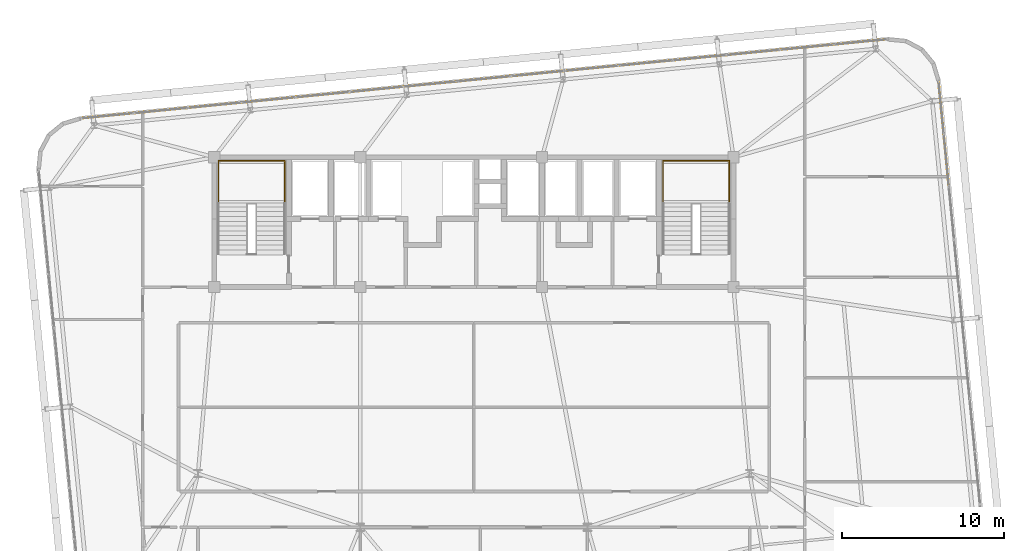
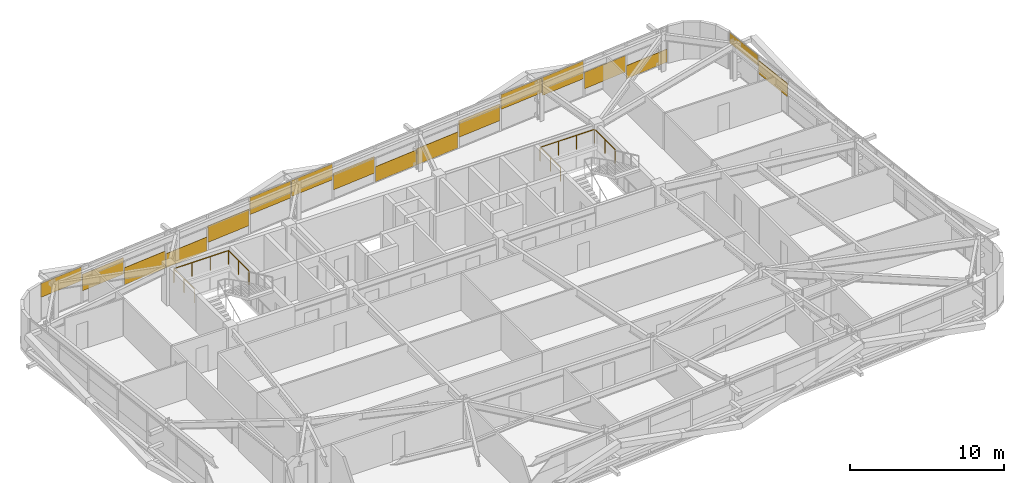
# One storey, part 52 of 52: 17 coverings, 2 railings.
"""IFC4 building model written with IfcOpenShell, lengths in metres."""

import ifcopenshell
import ifcopenshell.guid

model = None  # the IFC model being written
_history = None  # IfcOwnerHistory: only IFC2X3 demands one
_inside = {}  # id of a spatial element -> (the spatial element, [elements in it])
_under = {}  # id of a project, library or spatial element -> (it, [spatial elements below it])
_declared = {}  # id of a project -> (the project, [libraries it declares])
_typed = {}  # id of a type object -> (the type object, [elements of that type])
_made_of = {}  # id of a material, layer set ... -> (it, [elements and type objects made of it])


def new_model(schema):
    """Start an empty IFC model of exactly this schema.

    Asked for "IFC4X3", IfcOpenShell would pick the latest addendum, in which some entities
    have other attributes; the version numbers below select the first issue.
    IFC2X3 requires an IfcOwnerHistory on every rooted entity: one is made here for all.
    """
    global model, _history
    if schema == "IFC4X3":
        model = ifcopenshell.file(schema_version=(4, 3, 0, 0))
    else:
        model = ifcopenshell.file(schema=schema)
    _inside.clear()
    _under.clear()
    _declared.clear()
    _typed.clear()
    _made_of.clear()
    _history = None
    if model.schema == "IFC2X3":
        org = make("IfcOrganization", Name="unknown")
        user = make(
            "IfcPersonAndOrganization",
            ThePerson=make("IfcPerson", FamilyName="unknown"),
            TheOrganization=org,
        )
        app = make(
            "IfcApplication",
            ApplicationDeveloper=org,
            Version="unknown",
            ApplicationFullName="unknown",
            ApplicationIdentifier="unknown",
        )
        _history = make(
            "IfcOwnerHistory",
            OwningUser=user,
            OwningApplication=app,
            ChangeAction="ADDED",
            CreationDate=0,
        )
    return model


def make(cls, **values):
    """One entity of the class cls with the attributes given. An attribute that is None is left unset."""
    return model.create_entity(
        cls, **{name: value for name, value in values.items() if value is not None}
    )


def rooted(cls, **values):
    """An entity with a GlobalId (a new one), such as an element, a storey or a relation."""
    return make(cls, GlobalId=ifcopenshell.guid.new(), OwnerHistory=_history, **values)


def si_unit(unit_type, name, prefix=None):
    """IfcSIUnit, for example si_unit("LENGTHUNIT", "METRE", prefix="MILLI")."""
    return make("IfcSIUnit", UnitType=unit_type, Prefix=prefix, Name=name)


def assignment(units):
    """IfcUnitAssignment: the units of a project."""
    return None if units is None else make("IfcUnitAssignment", Units=units)


def point(xyz):
    """IfcCartesianPoint."""
    return None if xyz is None else make("IfcCartesianPoint", Coordinates=xyz)


def direction(xyz):
    """IfcDirection."""
    return None if xyz is None else make("IfcDirection", DirectionRatios=xyz)


def frame(location, z_axis=None, x_axis=None):
    """IfcAxis2Placement3D, a coordinate frame: its origin and axes. An axis left out is left unset."""
    return make(
        "IfcAxis2Placement3D",
        Location=point(location),
        Axis=direction(z_axis),
        RefDirection=direction(x_axis),
    )


def frame_2d(location, x_axis=None):
    """IfcAxis2Placement2D, a coordinate frame in the plane: its origin and x axis."""
    return make(
        "IfcAxis2Placement2D", Location=point(location), RefDirection=direction(x_axis)
    )


def origin():
    """The frame at (0, 0, 0) with its axes left unset."""
    return frame((0.0, 0.0, 0.0))


def origin_2d():
    """The frame at (0, 0) in the plane with its x axis left unset."""
    return frame_2d((0.0, 0.0))


def place(relative_to, where):
    """IfcLocalPlacement: puts the frame where relative to a parent placement (None: the world)."""
    return make(
        "IfcLocalPlacement", PlacementRelTo=relative_to, RelativePlacement=where
    )


def context(
    kind, dimensions, precision=None, world=None, true_north=None, identifier=None
):
    """IfcGeometricRepresentationContext, for example the 3D "Model" context."""
    return make(
        "IfcGeometricRepresentationContext",
        ContextIdentifier=identifier,
        ContextType=kind,
        CoordinateSpaceDimension=dimensions,
        Precision=precision,
        WorldCoordinateSystem=world,
        TrueNorth=true_north,
    )


def subcontext(parent, identifier, kind, view, scale=None):
    """IfcGeometricRepresentationSubContext, for example "Body" below "Model"."""
    return make(
        "IfcGeometricRepresentationSubContext",
        ContextIdentifier=identifier,
        ContextType=kind,
        ParentContext=parent,
        TargetScale=scale,
        TargetView=view,
    )


def project(units=None, contexts=None):
    """IfcProject with its units and contexts."""
    return rooted(
        "IfcProject",
        Name="project",
        RepresentationContexts=contexts,
        UnitsInContext=assignment(units),
    )


def spatial(cls, under=None, at=None, **own):
    """A site, building, storey or space (cls), placed at a placement, below another one or the project."""
    s = rooted(cls, ObjectPlacement=at, **own)
    if under is not None:
        _under.setdefault(under.id(), (under, []))[1].append(s)
    return s


def profile(cls, at=None, kind="AREA", **sizes):
    """A parametric profile (cls). Its sizes go by their IFC names, for example OverallWidth=200.0."""
    return make(cls, ProfileType=kind, Position=at, **sizes)


def rectangle(**sizes):
    """IfcRectangleProfileDef."""
    return profile("IfcRectangleProfileDef", **sizes)


def extrude(swept, where, along, depth):
    """IfcExtrudedAreaSolid: the profile swept, set in the frame where, extruded along a direction by depth."""
    return make(
        "IfcExtrudedAreaSolid",
        SweptArea=swept,
        Position=where,
        ExtrudedDirection=direction(along),
        Depth=depth,
    )


def shape(context_of_items, identifier, shape_type, items):
    """IfcShapeRepresentation: the items that make up one representation, for example the "Body"."""
    return make(
        "IfcShapeRepresentation",
        ContextOfItems=context_of_items,
        RepresentationIdentifier=identifier,
        RepresentationType=shape_type,
        Items=items,
    )


def source(mapping_origin, context_of_items, identifier, shape_type, items):
    """IfcRepresentationMap: a shape defined once, which mapped items show again and again."""
    return make(
        "IfcRepresentationMap",
        MappingOrigin=mapping_origin,
        MappedRepresentation=shape(context_of_items, identifier, shape_type, items),
    )


def transform(
    local_origin,
    x_axis=None,
    y_axis=None,
    z_axis=None,
    scale=None,
    scale2=None,
    scale3=None,
    uniform=True,
):
    """IfcCartesianTransformationOperator3D, or its non-uniform kind. x_axis, y_axis, z_axis: its Axis1, 2, 3."""
    if uniform:
        return make(
            "IfcCartesianTransformationOperator3D",
            Axis1=direction(x_axis),
            Axis2=direction(y_axis),
            LocalOrigin=point(local_origin),
            Scale=scale,
            Axis3=direction(z_axis),
        )
    return make(
        "IfcCartesianTransformationOperator3DnonUniform",
        Axis1=direction(x_axis),
        Axis2=direction(y_axis),
        LocalOrigin=point(local_origin),
        Scale=scale,
        Axis3=direction(z_axis),
        Scale2=scale2,
        Scale3=scale3,
    )


def mapped(mapping_source, mapping_target):
    """IfcMappedItem: shows the shape of a source again, moved by a transform."""
    return make(
        "IfcMappedItem", MappingSource=mapping_source, MappingTarget=mapping_target
    )


def material(Name=None, Category=None):
    """IfcMaterial."""
    return make("IfcMaterial", Name=Name, Category=Category)


def layer(
    of_material, thickness, ventilated=None, Name=None, Category=None, Priority=None
):
    """IfcMaterialLayer: one layer of a wall or slab, of a material (None: an air gap)."""
    return make(
        "IfcMaterialLayer",
        Material=of_material,
        LayerThickness=thickness,
        IsVentilated=ventilated,
        Name=Name,
        Category=Category,
        Priority=Priority,
    )


def layer_set(layers, Name=None):
    """IfcMaterialLayerSet."""
    return make("IfcMaterialLayerSet", MaterialLayers=layers, LayerSetName=Name)


def made_of(thing, what):
    """Note that an element or type object is made of a material, layer set ...; save() writes the relation."""
    if what is not None:
        _made_of.setdefault(what.id(), (what, []))[1].append(thing)
    return thing


def type_object(cls, material=None, **own):
    """A type object (cls), such as IfcWallType, which elements share."""
    return made_of(rooted(cls, **own), material)


def element(
    cls,
    number,
    at=None,
    inside=None,
    cuts=None,
    type_object=None,
    material=None,
    context=None,
    identifier="Body",
    shape_type=None,
    held_by="IfcProductDefinitionShape",
    body=None,
    shapes=None,
    **own,
):
    """One element of the class cls, such as IfcWall. Its Tag is "e" and its number.

    at: its placement. inside: the storey or other place that contains it. cuts: it is an
    opening in that element (IfcRelVoidsElement). A single representation is given by context,
    identifier, shape_type and body (its items); several are given by shapes. held_by: the class
    of the entity that holds the representations. save() writes the other relations.
    """
    e = rooted(cls, Tag="e%d" % number, ObjectPlacement=at, **own)
    if body is not None:
        shapes = [shape(context, identifier, shape_type, body)]
    if shapes is not None:
        e.Representation = make(held_by, Representations=shapes)
    if inside is not None:
        _inside.setdefault(inside.id(), (inside, []))[1].append(e)
    if cuts is not None:
        rooted(
            "IfcRelVoidsElement", RelatingBuildingElement=cuts, RelatedOpeningElement=e
        )
    if type_object is not None:
        _typed.setdefault(type_object.id(), (type_object, []))[1].append(e)
    return made_of(e, material)


def aggregate(whole, parts):
    """IfcRelAggregates: a whole, such as a stair, and the parts it consists of."""
    return rooted("IfcRelAggregates", RelatingObject=whole, RelatedObjects=parts)


def save(model, path):
    """Write the relations noted so far, then the file.

    IfcRelAggregates (storeys below a building ...), IfcRelContainedInSpatialStructure (elements
    in a storey), IfcRelDefinesByType, IfcRelAssociatesMaterial and IfcRelDeclares: one each for
    every whole, place, type object, material and project.
    """
    for whole, parts in _under.values():
        aggregate(whole, parts)
    for where, things in _inside.values():
        rooted(
            "IfcRelContainedInSpatialStructure",
            RelatedElements=things,
            RelatingStructure=where,
        )
    for kind, things in _typed.values():
        rooted("IfcRelDefinesByType", RelatedObjects=things, RelatingType=kind)
    for what, things in _made_of.values():
        rooted("IfcRelAssociatesMaterial", RelatedObjects=things, RelatingMaterial=what)
    for by, libraries in _declared.values():
        rooted("IfcRelDeclares", RelatingContext=by, RelatedDefinitions=libraries)
    model.write(path)


model = new_model("IFC4")

# Units and contexts
model_context = context("Model", 3, precision=1e-05, world=origin(), true_north=direction((0.0, 1.0)))
body_context = subcontext(model_context, "Body", "Model", "MODEL_VIEW")
ifc_project = project(units=[si_unit("LENGTHUNIT", "METRE"), si_unit("AREAUNIT", "SQUARE_METRE"), si_unit("VOLUMEUNIT", "CUBIC_METRE"), si_unit("PLANEANGLEUNIT", "RADIAN"), si_unit("MASSUNIT", "GRAM", prefix="KILO")], contexts=[model_context])

# Site, building, storey
site_placement = place(None, origin())
site = spatial("IfcSite", under=ifc_project, at=site_placement, CompositionType="ELEMENT")
building_placement = place(site_placement, origin())
building = spatial("IfcBuilding", under=site, at=building_placement, Name="Taldren Reach Tower", CompositionType="ELEMENT")
storey_placement = place(building_placement, frame((0.0, 0.0, 77.699951171875)))
storey = spatial("IfcBuildingStorey", under=building, at=storey_placement, Name="L23", CompositionType="ELEMENT", Elevation=77.699951171875)

# Railings
ifc_material_1 = material(Name="Steel Gr 350 (C350L0)", Category="steel")
ifc_layer_1 = layer(ifc_material_1, 0.050048828125)
ifc_layer_set_1 = layer_set([ifc_layer_1], Name="Steel Gr 350 (C350L0)")
railing_type = type_object("IfcRailingType", Name="RL-STAIR-GR", PredefinedType="GUARDRAIL", material=ifc_layer_set_1)
for number, where, name in (
    (1, (19.260009765625, 29.135009765625, 1.574951171875), "Stair half-landing perimeter guard ST1-L23"),
    (2, (46.659912109375, 29.135009765625, 1.574951171875), "Stair half-landing perimeter guard ST2-L23"),
):
    element("IfcRailing", number, at=place(storey_placement, frame(where)), inside=storey, type_object=railing_type, Name=name, PredefinedType="GUARDRAIL", context=body_context, shape_type="SweptSolid", body=[
        extrude(rectangle(XDim=0.047852, YDim=0.047852, at=origin_2d()), frame((0.0, 0.0, 1.09619140625), z_axis=(0.0, 1.0, 0.0), x_axis=(-1.0, 0.0, 0.0)), (0.0, 0.0, 1.0), 2.64501953125),
        extrude(rectangle(XDim=0.047852, YDim=0.047852, at=origin_2d()), frame((0.0, 2.64501953125, 1.09619140625), z_axis=(1.0, 0.0, 0.0), x_axis=(0.0, 1.0, 0.0)), (0.0, 0.0, 1.0), 4.080078125),
        extrude(rectangle(XDim=0.047852, YDim=0.047852, at=origin_2d()), frame((4.080078125, 2.64501953125, 1.09619140625), z_axis=(0.0, -1.0, 0.0), x_axis=(1.0, 0.0, 0.0)), (0.0, 0.0, 1.0), 2.64501953125),
        extrude(rectangle(XDim=0.041992, YDim=0.041992, at=origin_2d()), origin(), (0.0, 0.0, 1.0), 1.072021484375),
        extrude(rectangle(XDim=0.041992, YDim=0.041992, at=origin_2d()), frame((0.0, 1.322509765625, 0.0)), (0.0, 0.0, 1.0), 1.072021484375),
        extrude(rectangle(XDim=0.041992, YDim=0.041992, at=origin_2d()), frame((0.0, 2.64501953125, 0.0)), (0.0, 0.0, 1.0), 1.072021484375),
        extrude(rectangle(XDim=0.041992, YDim=0.041992, at=origin_2d()), frame((1.360107421875, 2.64501953125, 0.0)), (0.0, 0.0, 1.0), 1.072021484375),
        extrude(rectangle(XDim=0.041992, YDim=0.041992, at=origin_2d()), frame((2.719970703125, 2.64501953125, 0.0)), (0.0, 0.0, 1.0), 1.072021484375),
        extrude(rectangle(XDim=0.041992, YDim=0.041992, at=origin_2d()), frame((4.080078125, 2.64501953125, 0.0)), (0.0, 0.0, 1.0), 1.072021484375),
        extrude(rectangle(XDim=0.041992, YDim=0.041992, at=origin_2d()), frame((4.080078125, 1.322509765625, 0.0)), (0.0, 0.0, 1.0), 1.072021484375),
        extrude(rectangle(XDim=0.041992, YDim=0.041992, at=origin_2d()), frame((4.080078125, 0.0, 0.0)), (0.0, 0.0, 1.0), 1.072021484375),
    ])

# Coverings
ifc_material_2 = material(Name="Pale Champagne Fluoropolymer Aluminium Spandrel Cladding", Category="aluminium")
ifc_layer_2 = layer(ifc_material_2, 0.0439453125)
ifc_layer_set_2 = layer_set([ifc_layer_2], Name="Pale Champagne Fluoropolymer Aluminium Spandrel Cladding")
covering_type = type_object("IfcCoveringType", Name="CV-CLAD-044", PredefinedType="CLADDING", material=ifc_layer_set_2)
shared_shape_1 = source(origin(), body_context, "Body", "SweptSolid", [
    extrude(rectangle(XDim=3.23583984375, YDim=0.0439453125, at=origin_2d()), origin(), (0.0, 0.0, 1.0), 1.094970703125),
])
covering_1_placement = place(storey_placement, frame((12.42578125, 34.550537109375, 1.7802734375), z_axis=(0.0, 0.0, 1.0), x_axis=(-0.995227390247, -0.097582999046, 0.0)))
element("IfcCovering", 3, at=covering_1_placement, inside=storey, type_object=covering_type, Name="Diagrid closure cladding strip CW-3 panel 15.1 1", PredefinedType="CLADDING", context=body_context, shape_type="MappedRepresentation", body=[
    mapped(shared_shape_1, transform((0.0, 0.0, 0.0), scale=1.0)),
])
shared_shape_2 = source(origin(), body_context, "Body", "SweptSolid", [
    extrude(rectangle(XDim=3.268310546875, YDim=0.0439453125, at=origin_2d()), origin(), (0.0, 0.0, 1.0), 1.3046875),
])
for number, where, z_axis, x_axis, name in (
    (4, (55.5361328125, 38.777587890625, 0.6220703125), (0.0, 0.0, 1.0), (-0.995227390247, -0.097582999046, 0.0), "Diagrid closure cladding strip CW-3 panel 2.1 1"),
    (5, (45.583740234375, 37.8017578125, 0.863037109375), (0.0, 0.0, 1.0), (-0.995227390247, -0.097582999046, 0.0), "Diagrid closure cladding strip CW-3 panel 5.1 1"),
    (6, (35.631591796875, 36.825927734375, 0.78271484375), (0.0, 0.0, 1.0), (-0.995227390247, -0.097582999046, 0.0), "Diagrid closure cladding strip CW-3 panel 8.1 1"),
    (7, (25.67919921875, 35.85009765625, 0.702392578125), (0.0, 0.0, 1.0), (-0.995227390247, -0.097582999046, 0.0), "Diagrid closure cladding strip CW-3 panel 11.1 1"),
    (8, (15.72705078125, 34.874267578125, 0.943359375), (0.0, 0.0, 1.0), (-0.995227390247, -0.097582999046, 0.0), "Diagrid closure cladding strip CW-3 panel 14.1 1"),
):
    element("IfcCovering", number, at=place(storey_placement, frame(where, z_axis=z_axis, x_axis=x_axis)), inside=storey, type_object=covering_type, Name=name, PredefinedType="CLADDING", context=body_context, shape_type="MappedRepresentation", body=[
        mapped(shared_shape_2, transform((0.0, 0.0, 0.0), scale=1.0)),
    ])
shared_shape_3 = source(origin(), body_context, "Body", "SweptSolid", [
    extrude(rectangle(XDim=3.268310546875, YDim=0.0439453125, at=origin_2d()), origin(), (0.0, 0.0, 1.0), 1.356201171875),
])
covering_2_placement = place(storey_placement, frame((19.04443359375, 35.199462890625, 0.05517578125), z_axis=(0.0, 0.0, 1.0), x_axis=(-0.995227390247, -0.097582999046, 0.0)))
element("IfcCovering", 9, at=covering_2_placement, inside=storey, type_object=covering_type, Name="Diagrid closure cladding strip CW-3 panel 13.1 1", PredefinedType="CLADDING", context=body_context, shape_type="MappedRepresentation", body=[
    mapped(shared_shape_3, transform((0.0, 0.0, 0.0), scale=1.0)),
])
shared_shape_4 = source(origin(), body_context, "Body", "SweptSolid", [
    extrude(rectangle(XDim=3.268310546875, YDim=0.0439453125, at=origin_2d()), origin(), (0.0, 0.0, 1.0), 1.115234375),
])
covering_3_placement = place(storey_placement, frame((22.36181640625, 35.52490234375, 0.05517578125), z_axis=(0.0, 0.0, 1.0), x_axis=(-0.995227390247, -0.097582999046, 0.0)))
element("IfcCovering", 10, at=covering_3_placement, inside=storey, type_object=covering_type, Name="Diagrid closure cladding strip CW-3 panel 12.1 1", PredefinedType="CLADDING", context=body_context, shape_type="MappedRepresentation", body=[
    mapped(shared_shape_4, transform((0.0, 0.0, 0.0), scale=1.0)),
])
shared_shape_5 = source(origin(), body_context, "Body", "SweptSolid", [
    extrude(rectangle(XDim=3.268310546875, YDim=0.0439453125, at=origin_2d()), origin(), (0.0, 0.0, 1.0), 1.3359375),
])
covering_4_placement = place(storey_placement, frame((28.996826171875, 36.17529296875, 1.5390625), z_axis=(0.0, 0.0, 1.0), x_axis=(-0.995227390247, -0.097582999046, 0.0)))
element("IfcCovering", 11, at=covering_4_placement, inside=storey, type_object=covering_type, Name="Diagrid closure cladding strip CW-3 panel 10.1 1", PredefinedType="CLADDING", context=body_context, shape_type="MappedRepresentation", body=[
    mapped(shared_shape_5, transform((0.0, 0.0, 0.0), scale=1.0)),
])
shared_shape_6 = source(origin(), body_context, "Body", "SweptSolid", [
    extrude(rectangle(XDim=3.268310546875, YDim=0.0439453125, at=origin_2d()), origin(), (0.0, 0.0, 1.0), 1.255615234375),
])
covering_5_placement = place(storey_placement, frame((32.314208984375, 36.500732421875, 1.61962890625), z_axis=(0.0, 0.0, 1.0), x_axis=(-0.995227390247, -0.097582999046, 0.0)))
element("IfcCovering", 12, at=covering_5_placement, inside=storey, type_object=covering_type, Name="Diagrid closure cladding strip CW-3 panel 9.1 1", PredefinedType="CLADDING", context=body_context, shape_type="MappedRepresentation", body=[
    mapped(shared_shape_6, transform((0.0, 0.0, 0.0), scale=1.0)),
])
shared_shape_7 = source(origin(), body_context, "Body", "SweptSolid", [
    extrude(rectangle(XDim=3.268310546875, YDim=0.0439453125, at=origin_2d()), origin(), (0.0, 0.0, 1.0), 1.195556640625),
])
covering_6_placement = place(storey_placement, frame((38.948974609375, 37.151123046875, 0.05517578125), z_axis=(0.0, 0.0, 1.0), x_axis=(-0.995227390247, -0.097582999046, 0.0)))
element("IfcCovering", 13, at=covering_6_placement, inside=storey, type_object=covering_type, Name="Diagrid closure cladding strip CW-3 panel 7.1 1", PredefinedType="CLADDING", context=body_context, shape_type="MappedRepresentation", body=[
    mapped(shared_shape_7, transform((0.0, 0.0, 0.0), scale=1.0)),
])
shared_shape_8 = source(origin(), body_context, "Body", "SweptSolid", [
    extrude(rectangle(XDim=3.268310546875, YDim=0.0439453125, at=origin_2d()), origin(), (0.0, 0.0, 1.0), 1.27587890625),
])
covering_7_placement = place(storey_placement, frame((42.266357421875, 37.4765625, 0.05517578125), z_axis=(0.0, 0.0, 1.0), x_axis=(-0.995227390247, -0.097582999046, 0.0)))
element("IfcCovering", 14, at=covering_7_placement, inside=storey, type_object=covering_type, Name="Diagrid closure cladding strip CW-3 panel 6.1 1", PredefinedType="CLADDING", context=body_context, shape_type="MappedRepresentation", body=[
    mapped(shared_shape_8, transform((0.0, 0.0, 0.0), scale=1.0)),
])
shared_shape_9 = source(origin(), body_context, "Body", "SweptSolid", [
    extrude(rectangle(XDim=3.268310546875, YDim=0.0439453125, at=origin_2d()), origin(), (0.0, 0.0, 1.0), 1.17529296875),
])
covering_8_placement = place(storey_placement, frame((48.9013671875, 38.126953125, 1.69970703125), z_axis=(0.0, 0.0, 1.0), x_axis=(-0.995227390247, -0.097582999046, 0.0)))
element("IfcCovering", 15, at=covering_8_placement, inside=storey, type_object=covering_type, Name="Diagrid closure cladding strip CW-3 panel 4.1 1", PredefinedType="CLADDING", context=body_context, shape_type="MappedRepresentation", body=[
    mapped(shared_shape_9, transform((0.0, 0.0, 0.0), scale=1.0)),
])
shared_shape_10 = source(origin(), body_context, "Body", "SweptSolid", [
    extrude(rectangle(XDim=3.268310546875, YDim=0.0439453125, at=origin_2d()), origin(), (0.0, 0.0, 1.0), 1.416259765625),
])
covering_9_placement = place(storey_placement, frame((52.21875, 38.452392578125, 1.458984375), z_axis=(0.0, 0.0, 1.0), x_axis=(-0.995227390247, -0.097582999046, 0.0)))
element("IfcCovering", 16, at=covering_9_placement, inside=storey, type_object=covering_type, Name="Diagrid closure cladding strip CW-3 panel 3.1 1", PredefinedType="CLADDING", context=body_context, shape_type="MappedRepresentation", body=[
    mapped(shared_shape_10, transform((0.0, 0.0, 0.0), scale=1.0)),
])
shared_shape_11 = source(origin(), body_context, "Body", "SweptSolid", [
    extrude(rectangle(XDim=3.23583984375, YDim=0.0439453125, at=origin_2d()), origin(), (0.0, 0.0, 1.0), 1.034912109375),
])
covering_10_placement = place(storey_placement, frame((58.83740234375, 39.101318359375, 0.05517578125), z_axis=(0.0, 0.0, 1.0), x_axis=(-0.995227390247, -0.097582999046, 0.0)))
element("IfcCovering", 17, at=covering_10_placement, inside=storey, type_object=covering_type, Name="Diagrid closure cladding strip CW-3 panel 1.1 1", PredefinedType="CLADDING", context=body_context, shape_type="MappedRepresentation", body=[
    mapped(shared_shape_11, transform((0.0, 0.0, 0.0), scale=1.0)),
])
shared_shape_12 = source(origin(), body_context, "Body", "SweptSolid", [
    extrude(rectangle(XDim=3.18017578125, YDim=0.0439453125, at=origin_2d()), origin(), (0.0, 0.0, 1.0), 0.83056640625),
])
covering_11_placement = place(storey_placement, frame((63.79931640625, 35.051025390625, 2.04443359375), z_axis=(0.0, 0.0, 1.0), x_axis=(-0.09758274098, 0.99522741555, 0.0)))
element("IfcCovering", 18, at=covering_11_placement, inside=storey, type_object=covering_type, Name="Diagrid closure cladding strip CW-3 panel 9.1 1", PredefinedType="CLADDING", context=body_context, shape_type="MappedRepresentation", body=[
    mapped(shared_shape_12, transform((0.0, 0.0, 0.0), scale=1.0)),
])
shared_shape_13 = source(origin(), body_context, "Body", "SweptSolid", [
    extrude(rectangle(XDim=3.212890625, YDim=0.0439453125, at=origin_2d()), origin(), (0.0, 0.0, 1.0), 1.053466796875),
])
covering_12_placement = place(storey_placement, frame((64.117431640625, 31.80517578125, 1.45654296875), z_axis=(0.0, 0.0, 1.0), x_axis=(-0.09758274098, 0.99522741555, 0.0)))
element("IfcCovering", 19, at=covering_12_placement, inside=storey, type_object=covering_type, Name="Diagrid closure cladding strip CW-3 panel 8.1 1", PredefinedType="CLADDING", context=body_context, shape_type="MappedRepresentation", body=[
    mapped(shared_shape_13, transform((0.0, 0.0, 0.0), scale=1.0)),
])

save(model, "model.ifc")
